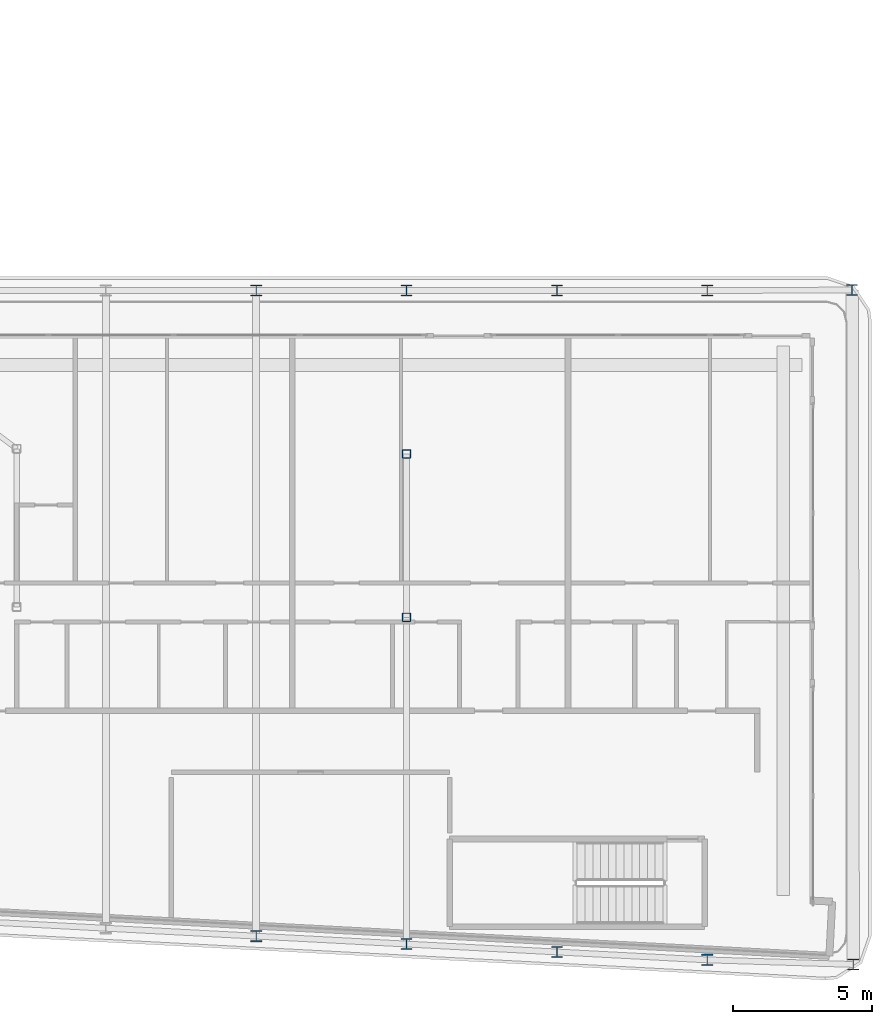
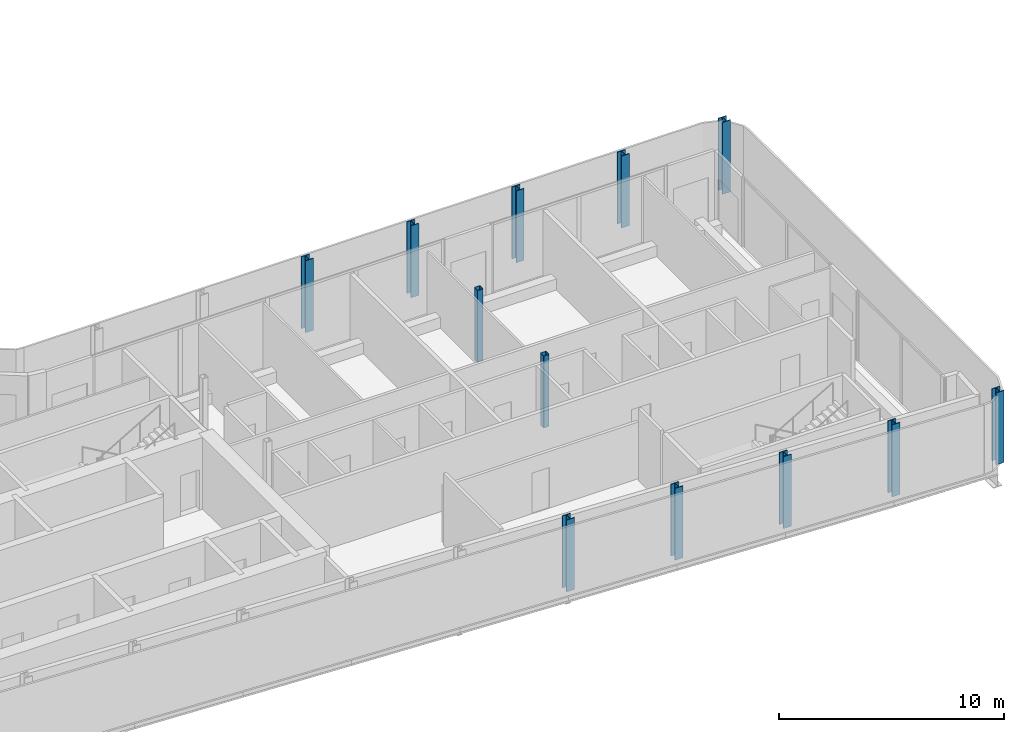
# One storey, part 2 of 21: 12 columns.
"""IFC4 building model written with IfcOpenShell, lengths in metres."""

from ifc_helpers import new_model, si_unit, direction, frame, origin, origin_2d, place, context, subcontext, project, spatial, hollow_rectangle, i_section, extrude, material, material_profile, profile_set, type_object, element, save


model = new_model("IFC4")

# Units and contexts
model_context = context("Model", 3, precision=1e-05, world=origin(), true_north=direction((0.0, 1.0)))
body_context = subcontext(model_context, "Body", "Model", "MODEL_VIEW")
ifc_project = project(units=[si_unit("LENGTHUNIT", "METRE"), si_unit("AREAUNIT", "SQUARE_METRE"), si_unit("VOLUMEUNIT", "CUBIC_METRE"), si_unit("PLANEANGLEUNIT", "RADIAN"), si_unit("MASSUNIT", "GRAM", prefix="KILO")], contexts=[model_context])

# Site, building, storey
site_placement = place(None, origin())
site = spatial("IfcSite", under=ifc_project, at=site_placement, CompositionType="ELEMENT")
building_placement = place(site_placement, origin())
building = spatial("IfcBuilding", under=site, at=building_placement, Name="Kheshtan School and Residences Tower", CompositionType="ELEMENT")
storey_placement = place(building_placement, frame((0.0, 0.0, 235.699951171875)))
storey = spatial("IfcBuildingStorey", under=building, at=storey_placement, Name="L55", CompositionType="ELEMENT", Elevation=235.699951171875)

# Columns
ifc_material_1 = material(Name="Steel ASTM A992 Grade 50", Category="steel")
ifc_material_profile_1 = material_profile(ifc_material_1, i_section(OverallWidth=0.404052734375, OverallDepth=0.406982421875, WebThickness=0.027099609375, FlangeThickness=0.043701171875, FilletRadius=0.01220703125, at=origin_2d()), Name="W360x347")
ifc_profile_set_1 = profile_set([ifc_material_profile_1], Name="Steel ASTM A992 Grade 50")
column_type_1 = type_object("IfcColumnType", Name="Column C4 W360x347 ASTM A992 Grade 50", PredefinedType="COLUMN", material=ifc_profile_set_1)
for number, where, z_axis, x_axis, name in (
    (1, (85.240966796875, 21.39501953125, 0.0), (0.0, 0.0, 1.0), (1.0, 0.0, 0.0), "Column C010"),
    (2, (80.0, 21.55810546875, 0.0), (0.0, 0.0, 1.0), (1.0, 0.0, 0.0), "Column C012"),
    (3, (74.60009765625, 21.843017578125, 0.0), (0.0, 0.0, 1.0), (1.0, 0.0, 0.0), "Column C013"),
    (4, (69.199951171875, 22.126953125, 0.0), (0.0, 0.0, 1.0), (1.0, 0.0, 0.0), "Column C014"),
    (5, (63.800048828125, 22.410888671875, 0.0), (0.0, 0.0, 1.0), (1.0, 0.0, 0.0), "Column C016"),
    (6, (63.800048828125, 45.60009765625, 0.0), (0.0, 0.0, 1.0), (1.0, 0.0, 0.0), "Column C063"),
    (7, (69.199951171875, 45.60009765625, 0.0), (0.0, 0.0, 1.0), (1.0, 0.0, 0.0), "Column C064"),
    (8, (74.60009765625, 45.60009765625, 0.0), (0.0, 0.0, 1.0), (1.0, 0.0, 0.0), "Column C065"),
    (9, (80.0, 45.60009765625, 0.0), (0.0, 0.0, 1.0), (1.0, 0.0, 0.0), "Column C066"),
    (10, (85.200927734375, 45.616943359375, 0.0), (0.0, 0.0, 1.0), (1.0, 0.0, 0.0), "Column C074"),
):
    element("IfcColumn", number, at=place(storey_placement, frame(where, z_axis=z_axis, x_axis=x_axis)), inside=storey, type_object=column_type_1, Name=name, PredefinedType="COLUMN", context=body_context, shape_type="SweptSolid", body=[
        extrude(i_section(OverallWidth=0.404052734375, OverallDepth=0.406982421875, WebThickness=0.027099609375, FlangeThickness=0.043701171875, FilletRadius=0.01220703125, at=origin_2d()), origin(), (0.0, 0.0, 1.0), 3.900146484375),
    ])
ifc_material_2 = material(Name="Steel ASTM A500 Grade C", Category="steel")
ifc_material_profile_2 = material_profile(ifc_material_2, hollow_rectangle(XDim=0.304931640625, YDim=0.304931640625, WallThickness=0.015869140625, InnerFilletRadius=0.015869140625, OuterFilletRadius=0.03173828125, at=origin_2d()), Name="HSS 305x305x15.9")
ifc_profile_set_2 = profile_set([ifc_material_profile_2], Name="Steel ASTM A500 Grade C")
column_type_2 = type_object("IfcColumnType", Name="Column IC2 HSS 305x305x15.9 ASTM A500 Grade C", PredefinedType="COLUMN", material=ifc_profile_set_2)
for number, where, z_axis, x_axis, name in (
    (11, (69.199951171875, 33.863037109375, 0.0), (0.0, 0.0, 1.0), (1.0, 0.0, 0.0), "Column C050"),
    (12, (69.199951171875, 39.73193359375, 0.0), (0.0, 0.0, 1.0), (1.0, 0.0, 0.0), "Column C054"),
):
    element("IfcColumn", number, at=place(storey_placement, frame(where, z_axis=z_axis, x_axis=x_axis)), inside=storey, type_object=column_type_2, Name=name, PredefinedType="COLUMN", context=body_context, shape_type="SweptSolid", body=[
        extrude(hollow_rectangle(XDim=0.304931640625, YDim=0.304931640625, WallThickness=0.015869140625, InnerFilletRadius=0.015869140625, OuterFilletRadius=0.03173828125, at=origin_2d()), origin(), (0.0, 0.0, 1.0), 3.900146484375),
    ])

save(model, "model.ifc")
